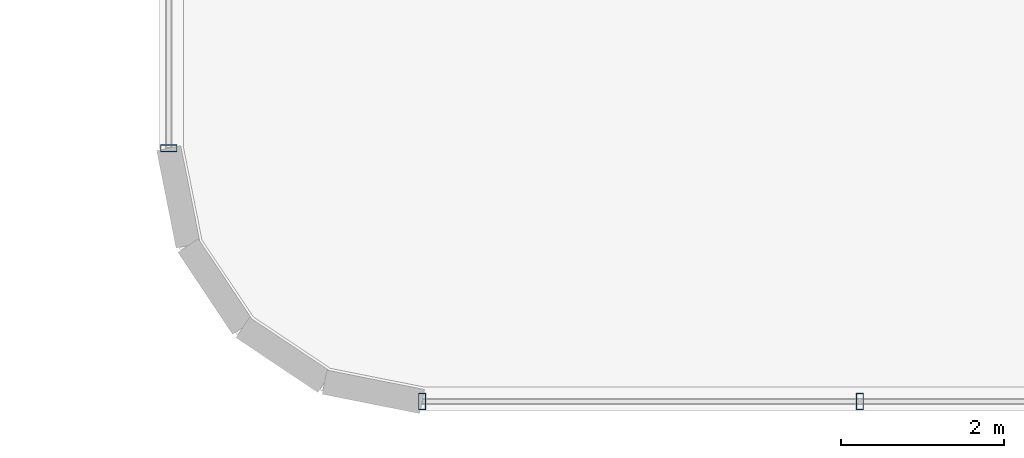
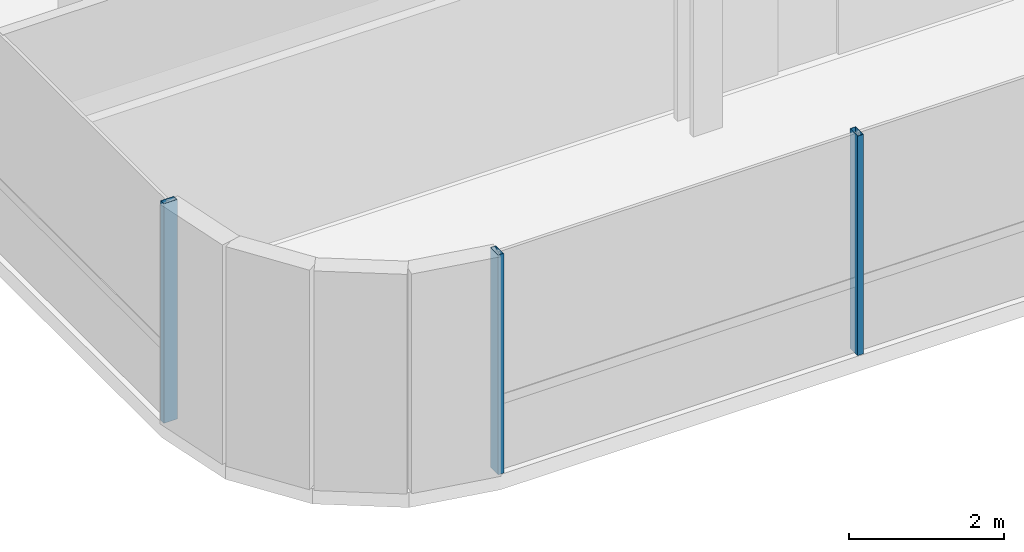
# One storey, part 2 of 40: 3 members, 2 elements without a shape of their own.
"""IFC4 building model written with IfcOpenShell, lengths in metres."""

from ifc_helpers import new_model, si_unit, direction, frame, origin, origin_2d, place, context, subcontext, project, spatial, hollow_rectangle, extrude, source, transform, mapped, material, material_profile, profile_set, type_object, element, aggregate, save


model = new_model("IFC4")

# Units and contexts
model_context = context("Model", 3, precision=1e-05, world=origin(), true_north=direction((0.0, 1.0)))
body_context = subcontext(model_context, "Body", "Model", "MODEL_VIEW")
ifc_project = project(units=[si_unit("LENGTHUNIT", "METRE"), si_unit("AREAUNIT", "SQUARE_METRE"), si_unit("VOLUMEUNIT", "CUBIC_METRE"), si_unit("PLANEANGLEUNIT", "RADIAN"), si_unit("MASSUNIT", "GRAM", prefix="KILO")], contexts=[model_context])

# Site, building, storey
site_placement = place(None, origin())
site = spatial("IfcSite", under=ifc_project, at=site_placement, CompositionType="ELEMENT")
building_placement = place(site_placement, origin())
building = spatial("IfcBuilding", under=site, at=building_placement, Name="Valdorenza Pilgrim Sanctuary Tower", CompositionType="ELEMENT")
storey_placement = place(building_placement, frame((0.0, 0.0, 48.199951171875)))
storey = spatial("IfcBuildingStorey", under=building, at=storey_placement, Name="L11", CompositionType="ELEMENT", Elevation=48.199951171875)

# Curtain wall, member
ifc_material_1 = material(Name="Curtain-wall IGU glazing", Category="glass")
curtain_wall_type = type_object("IfcCurtainWallType", Name="CW-SYS-02", PredefinedType="NOTDEFINED", material=ifc_material_1)
curtain_wall_1_placement = place(storey_placement, origin())
curtain_wall_1 = element("IfcCurtainWall", 1, at=curtain_wall_1_placement, inside=storey, type_object=curtain_wall_type, Name="L11 Curtain Wall CW-L11-1-1S1", PredefinedType="NOTDEFINED")
ifc_material_2 = material(Name="Anodised aluminium AW-6060", Category="aluminium")
ifc_material_profile = material_profile(ifc_material_2, hollow_rectangle(XDim=0.0849609375, YDim=0.199951171875, WallThickness=0.0048828125, at=origin_2d()), Name="ALU-M 200x85x5")
ifc_profile_set = profile_set([ifc_material_profile], Name="Anodised aluminium AW-6060")
member_type = type_object("IfcMemberType", Name="CW-MUL-02", PredefinedType="MULLION", material=ifc_profile_set)
shared_shape = source(origin(), body_context, "Body", "SweptSolid", [
    extrude(hollow_rectangle(XDim=0.0849609375, YDim=0.199951171875, WallThickness=0.0048828125, at=origin_2d()), origin(), (0.0, 0.0, 1.0), 3.4599609375),
])
member_1_placement = place(storey_placement, frame((-31.889892578125, -15.789306640625, 0.0), z_axis=(0.0, 0.0, 1.0), x_axis=(0.0, 1.0, 0.0)))
member_1 = element("IfcMember", 2, at=member_1_placement, type_object=member_type, Name="CW-L11-1-1S1 Mullion 1", PredefinedType="MULLION", context=body_context, shape_type="MappedRepresentation", body=[
    mapped(shared_shape, transform((0.0, 0.0, 0.0), x_axis=(1.0, 0.0, 0.0), y_axis=(0.0, 1.0, 0.0), z_axis=(0.0, 0.0, 1.0), scale=1.0)),
])
aggregate(curtain_wall_1, [member_1])

# Curtain wall, members
curtain_wall_2_placement = place(storey_placement, origin())
curtain_wall_2 = element("IfcCurtainWall", 3, at=curtain_wall_2_placement, inside=storey, type_object=curtain_wall_type, Name="L11 Curtain Wall CW-L11-1-46", PredefinedType="NOTDEFINED")
member_2_placement = place(storey_placement, frame((-23.4296875, -18.889892578125, 0.0), z_axis=(0.0, 0.0, 1.0), x_axis=(-1.0, 0.0, 0.0)))
member_2 = element("IfcMember", 4, at=member_2_placement, type_object=member_type, Name="CW-L11-1-46 Mullion 3", PredefinedType="MULLION", context=body_context, shape_type="MappedRepresentation", body=[
    mapped(shared_shape, transform((0.0, 0.0, 0.0), x_axis=(1.0, 0.0, 0.0), y_axis=(0.0, 1.0, 0.0), z_axis=(0.0, 0.0, 1.0), scale=1.0)),
])
member_3_placement = place(storey_placement, frame((-28.789306640625, -18.889892578125, 0.0), z_axis=(0.0, 0.0, 1.0), x_axis=(-1.0, 0.0, 0.0)))
member_3 = element("IfcMember", 5, at=member_3_placement, type_object=member_type, Name="CW-L11-1-46 Mullion 4", PredefinedType="MULLION", context=body_context, shape_type="MappedRepresentation", body=[
    mapped(shared_shape, transform((0.0, 0.0, 0.0), x_axis=(1.0, 0.0, 0.0), y_axis=(0.0, 1.0, 0.0), z_axis=(0.0, 0.0, 1.0), scale=1.0)),
])
aggregate(curtain_wall_2, [member_2, member_3])

save(model, "model.ifc")
